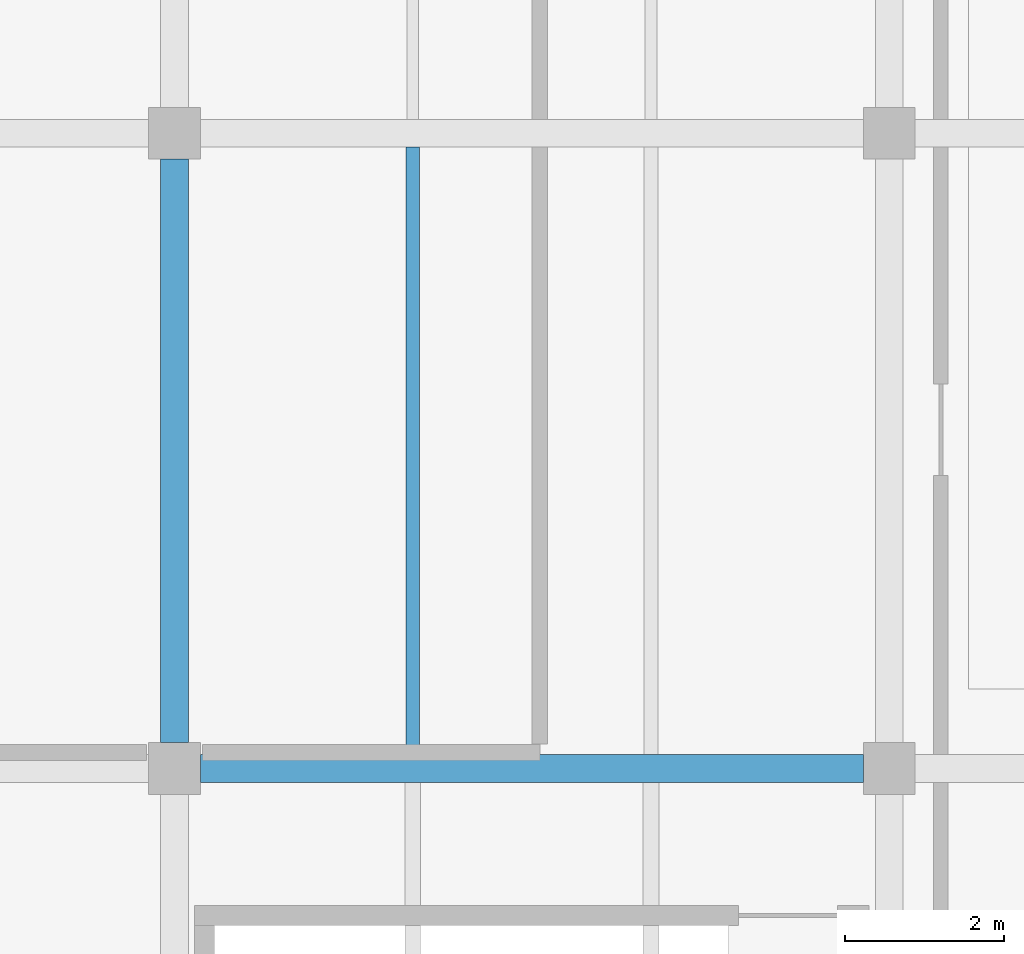
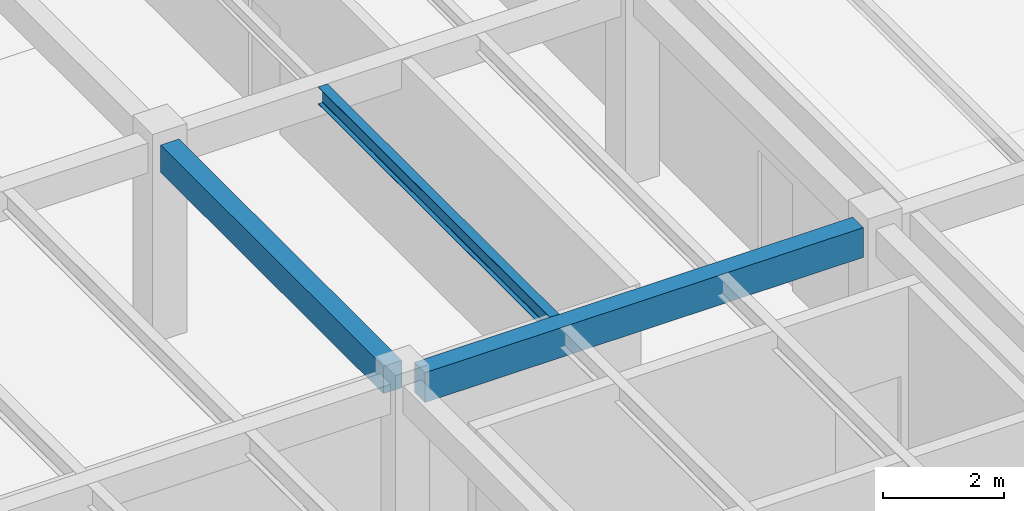
# One storey, part 23 of 71: 3 beams.
"""IFC4 building model written with IfcOpenShell, lengths in metres."""

from ifc_helpers import new_model, si_unit, derived_unit, direction, frame, origin, origin_2d, place, context, subcontext, project, spatial, rectangle, i_section, extrude, material, material_profile, profile_set, type_object, element, save


model = new_model("IFC4")

# Units and contexts
model_context = context("Model", 3, precision=1e-05, world=origin(), true_north=direction((0.0, 1.0)))
body_context = subcontext(model_context, "Body", "Model", "MODEL_VIEW")
ifc_project = project(units=[si_unit("LENGTHUNIT", "METRE"), si_unit("AREAUNIT", "SQUARE_METRE"), si_unit("VOLUMEUNIT", "CUBIC_METRE"), si_unit("PLANEANGLEUNIT", "RADIAN"), si_unit("MASSUNIT", "GRAM", prefix="KILO"), derived_unit("THERMALTRANSMITTANCEUNIT", [(si_unit("MASSUNIT", "GRAM", prefix="KILO"), 1), (si_unit("TIMEUNIT", "SECOND"), -3), (si_unit("THERMODYNAMICTEMPERATUREUNIT", "KELVIN"), -1)])], contexts=[model_context])

# Site, building, storey
site_placement = place(None, origin())
site = spatial("IfcSite", under=ifc_project, at=site_placement, CompositionType="ELEMENT")
building_placement = place(site_placement, origin())
building = spatial("IfcBuilding", under=site, at=building_placement, Name="Zhenchuan Archway Interchange", CompositionType="ELEMENT")
storey_placement = place(building_placement, frame((0.0, 0.0, 18.60009765625)))
storey = spatial("IfcBuildingStorey", under=building, at=storey_placement, Name="L04", CompositionType="ELEMENT", Elevation=18.60009765625)

# Beams
ifc_material_1 = material(Name="Concrete C40", Category="concrete")
ifc_material_profile_1 = material_profile(ifc_material_1, rectangle(XDim=0.35009765625, YDim=0.550048828125, at=origin_2d()), Name="RC 350x550")
ifc_profile_set_1 = profile_set([ifc_material_profile_1], Name="Concrete C40")
beam_type_1 = type_object("IfcBeamType", Name="BM_RC_350x550", PredefinedType="BEAM", material=ifc_profile_set_1)
beam_1_placement = place(storey_placement, frame((153.0, 24.324951171875, 3.664794921875), z_axis=(0.0, 1.0, 0.0), x_axis=(-1.0, 0.0, 0.0)))
element("IfcBeam", 1, at=beam_1_placement, inside=storey, type_object=beam_type_1, Name="Beam 18:D-E (L04)", PredefinedType="BEAM", context=body_context, shape_type="SweptSolid", body=[
    extrude(rectangle(XDim=0.35009765625, YDim=0.550048828125, at=origin_2d()), origin(), (0.0, 0.0, 1.0), 7.35009765625),
])
ifc_material_profile_2 = material_profile(ifc_material_1, rectangle(XDim=0.35009765625, YDim=0.60009765625, at=origin_2d()), Name="RC 350x600")
ifc_profile_set_2 = profile_set([ifc_material_profile_2], Name="Concrete C40")
beam_type_2 = type_object("IfcBeamType", Name="BM_RC_350x600", PredefinedType="BEAM", material=ifc_profile_set_2)
beam_2_placement = place(storey_placement, frame((153.324951171875, 24.0, 3.639892578125), z_axis=(1.0, 0.0, 0.0), x_axis=(0.0, 1.0, 0.0)))
element("IfcBeam", 2, at=beam_2_placement, inside=storey, type_object=beam_type_2, Name="Beam D:18-19 (L04)", PredefinedType="BEAM", context=body_context, shape_type="SweptSolid", body=[
    extrude(rectangle(XDim=0.35009765625, YDim=0.60009765625, at=origin_2d()), origin(), (0.0, 0.0, 1.0), 8.35009765625),
])
ifc_material_2 = material(Name="Steel Q355", Category="steel")
ifc_material_profile_3 = material_profile(ifc_material_2, i_section(OverallWidth=0.175048828125, OverallDepth=0.35009765625, WebThickness=0.007080078125, FlangeThickness=0.010986328125, FilletRadius=0.013916015625, at=origin_2d()), Name="HN 350x175")
ifc_profile_set_3 = profile_set([ifc_material_profile_3], Name="Steel Q355")
beam_type_3 = type_object("IfcBeamType", Name="JST_STL_HN350", PredefinedType="JOIST", material=ifc_profile_set_3)
beam_3_placement = place(storey_placement, frame((156.0, 24.175048828125, 3.764892578125), z_axis=(0.0, 1.0, 0.0), x_axis=(-1.0, 0.0, 0.0)))
element("IfcBeam", 3, at=beam_3_placement, inside=storey, type_object=beam_type_3, Name="Secondary joist 18-19/D-E #1 (L04)", PredefinedType="JOIST", context=body_context, shape_type="SweptSolid", body=[
    extrude(i_section(OverallWidth=0.175048828125, OverallDepth=0.35009765625, WebThickness=0.007080078125, FlangeThickness=0.010986328125, FilletRadius=0.013916015625, at=origin_2d()), origin(), (0.0, 0.0, 1.0), 7.64990234375),
])

save(model, "model.ifc")
